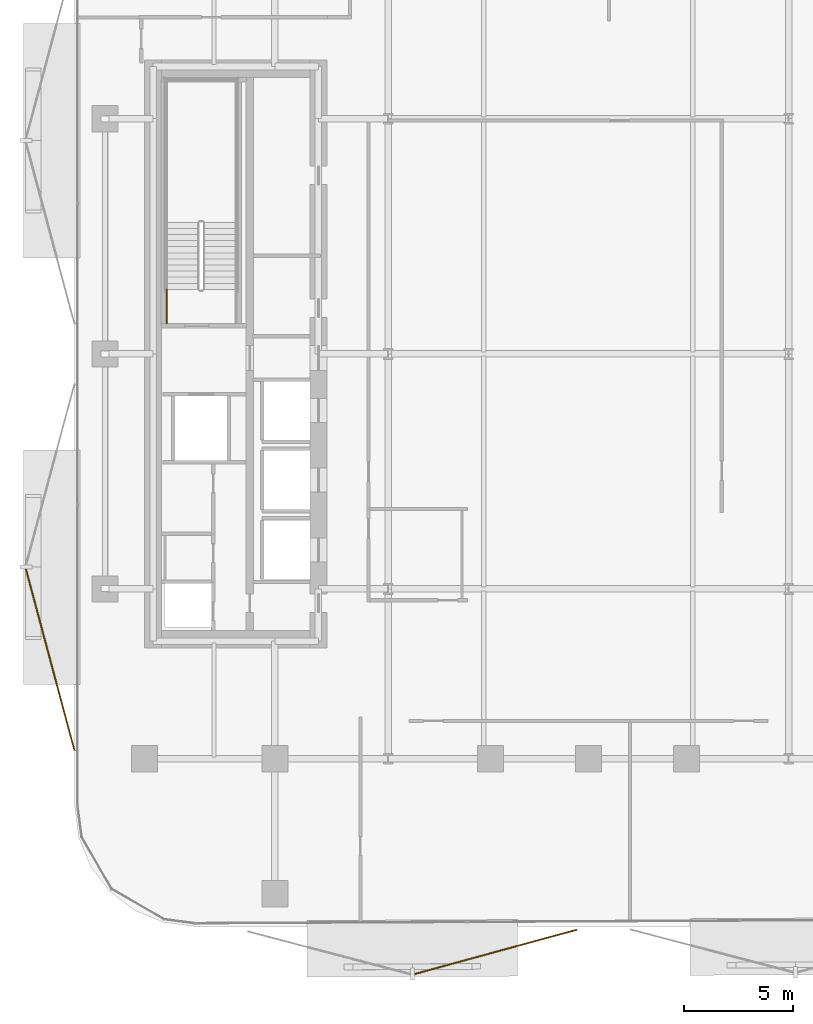
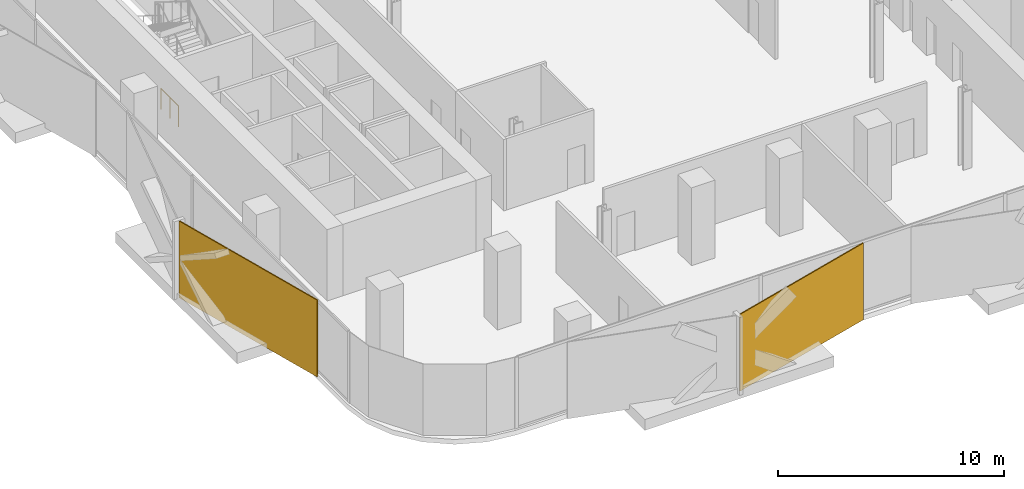
# One storey, part 11 of 15: 2 coverings, 1 railing.
"""IFC4 building model written with IfcOpenShell, lengths in metres."""

from ifc_helpers import new_model, si_unit, direction, frame, origin, origin_2d, place, context, subcontext, project, spatial, rectangle, circle, extrude, material, layer, layer_set, type_object, element, save


model = new_model("IFC4")

# Units and contexts
model_context = context("Model", 3, precision=1e-05, world=origin(), true_north=direction((0.0, 1.0)))
body_context = subcontext(model_context, "Body", "Model", "MODEL_VIEW")
ifc_project = project(units=[si_unit("LENGTHUNIT", "METRE"), si_unit("AREAUNIT", "SQUARE_METRE"), si_unit("VOLUMEUNIT", "CUBIC_METRE"), si_unit("PLANEANGLEUNIT", "RADIAN"), si_unit("MASSUNIT", "GRAM", prefix="KILO")], contexts=[model_context])

# Site, building, storey
site_placement = place(None, origin())
site = spatial("IfcSite", under=ifc_project, at=site_placement, CompositionType="ELEMENT")
building_placement = place(site_placement, origin())
building = spatial("IfcBuilding", under=site, at=building_placement, Name="Khairoan Windgate Tower", CompositionType="ELEMENT")
storey_placement = place(building_placement, frame((0.0, 0.0, 147.800048828125)))
storey = spatial("IfcBuildingStorey", under=building, at=storey_placement, Name="L34", CompositionType="ELEMENT", Elevation=147.800048828125)

# Coverings
ifc_material_1 = material(Name="Anodised Bronze Aluminium 6063-T6", Category="aluminium")
ifc_layer = layer(ifc_material_1, 0.054931640625, Name="Anodised Bronze Aluminium 6063-T6")
ifc_layer_set = layer_set([ifc_layer], Name="Anodised Bronze Aluminium 6063-T6")
covering_type = type_object("IfcCoveringType", Name="Perforated Bronze-Ceramic Folded Solar Screen Cladding BSC-1", PredefinedType="CLADDING", material=ifc_layer_set)
covering_1_placement = place(storey_placement, frame((-4.261962890625, -27.470947265625, -0.10009765625), z_axis=(0.0, 0.0, 1.0), x_axis=(-0.964649468762, -0.263536339841, 0.0)))
element("IfcCovering", 1, at=covering_1_placement, inside=storey, type_object=covering_type, Name="L34 Folded Bronze Solar Screen Facet 218L", PredefinedType="CLADDING", context=body_context, shape_type="SweptSolid", body=[
    extrude(rectangle(XDim=7.739013671875, YDim=0.054931640625, at=origin_2d()), origin(), (0.0, 0.0, 1.0), 4.139892578125),
])
covering_2_placement = place(storey_placement, frame((-24.724609375, -14.048583984375, -0.10009765625), z_axis=(0.0, 0.0, 1.0), x_axis=(-0.258819045103, 0.965925826289, 0.0)))
element("IfcCovering", 2, at=covering_2_placement, inside=storey, type_object=covering_type, Name="L34 Folded Bronze Solar Screen Facet 219L", PredefinedType="CLADDING", context=body_context, shape_type="SweptSolid", body=[
    extrude(rectangle(XDim=8.6201171875, YDim=0.054931640625, at=origin_2d()), origin(), (0.0, 0.0, 1.0), 4.139892578125),
])

# Railing
ifc_material_2 = material(Name="Steel S355", Category="steel")
railing_type = type_object("IfcRailingType", Name="Stairwell Safety Guardrail SGR-1150", PredefinedType="GUARDRAIL", material=ifc_material_2)
railing_placement = place(storey_placement, frame((-19.3701171875, 1.39990234375, 0.0)))
element("IfcRailing", 3, at=railing_placement, inside=storey, type_object=railing_type, Name="L34 ST2 stair guard 9", PredefinedType="GUARDRAIL", context=body_context, shape_type="SweptSolid", body=[
    extrude(circle(Radius=0.02392578125, at=origin_2d()), frame((0.0, 0.0, 1.1259765625), z_axis=(0.0, 1.0, 0.0), x_axis=(-1.0, 0.0, 0.0)), (0.0, 0.0, 1.0), 1.56005859375),
    extrude(circle(Radius=0.02099609375, at=origin_2d()), origin(), (0.0, 0.0, 1.0), 1.101806640625),
    extrude(circle(Radius=0.02099609375, at=origin_2d()), frame((0.0, 0.780029296875, 0.0)), (0.0, 0.0, 1.0), 1.101806640625),
    extrude(circle(Radius=0.02099609375, at=origin_2d()), frame((0.0, 1.56005859375, 0.0)), (0.0, 0.0, 1.0), 1.101806640625),
])

save(model, "model.ifc")
